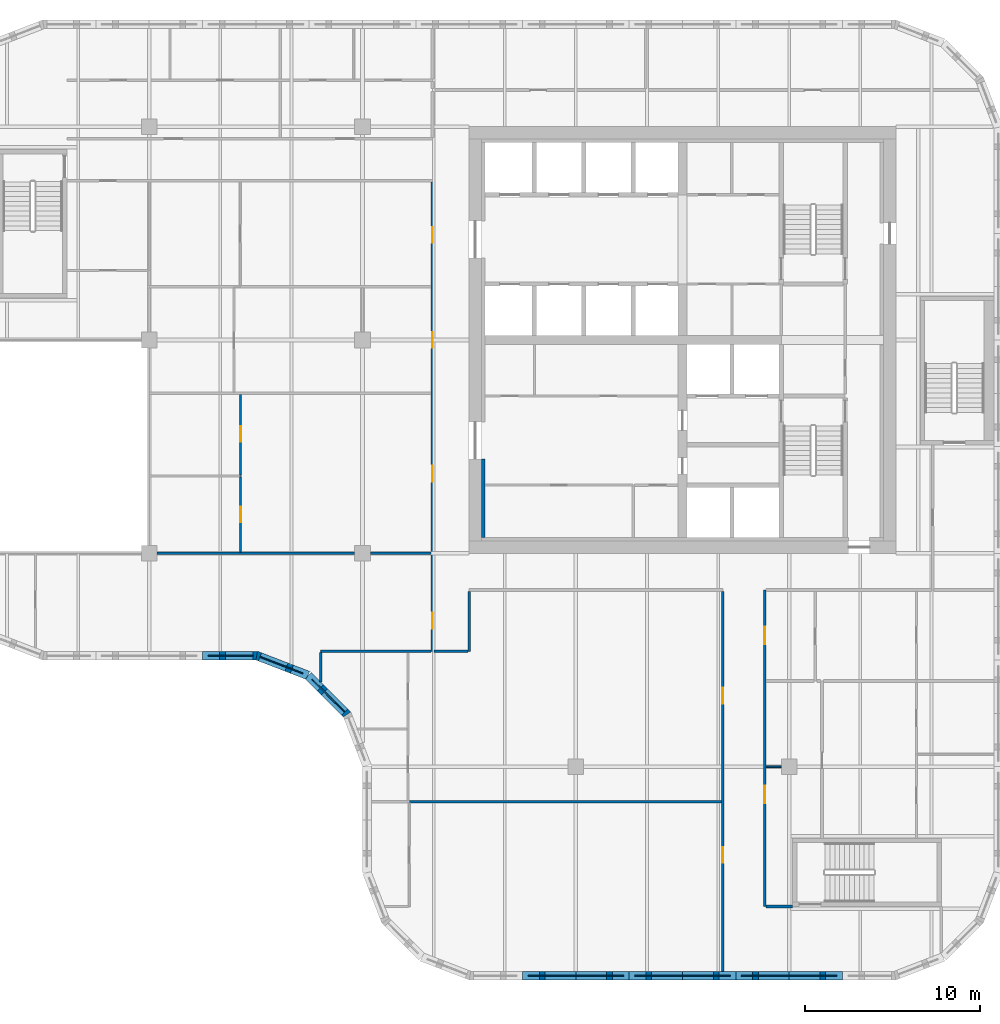
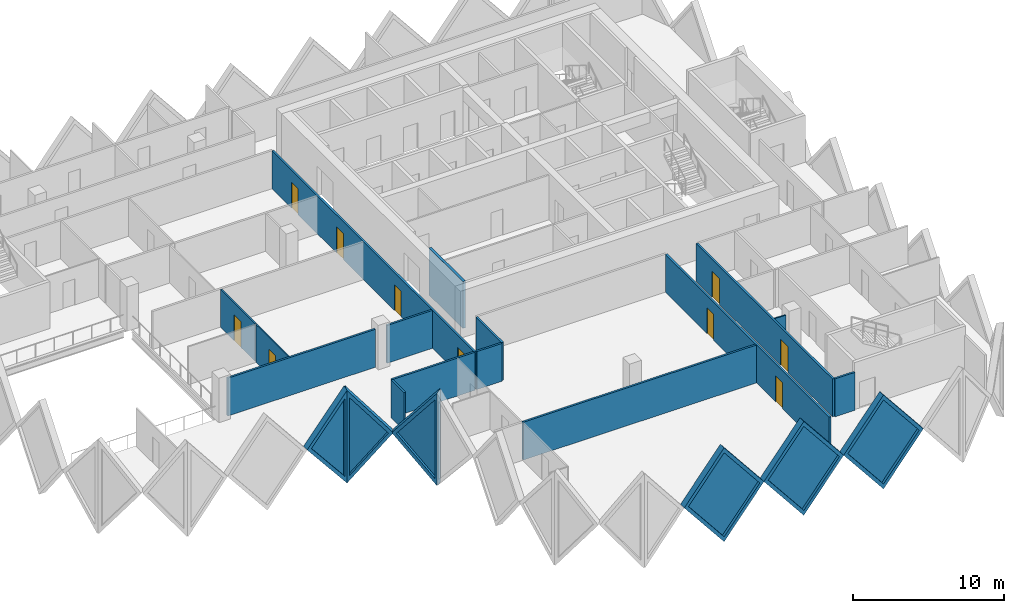
# One storey, part 4 of 12: 21 walls, 10 doors, 6 plates, 16 openings.
"""IFC4 building model written with IfcOpenShell, lengths in metres."""

from ifc_helpers import new_model, si_unit, direction, frame, frame_2d, origin, place, context, subcontext, project, spatial, polyline, rectangle, outline, extrude, faceted_brep, source, transform, mapped, material, layer, layer_set, type_object, element, fill, save


model = new_model("IFC4")

# Units and contexts
model_context = context("Model", 3, precision=1e-05, world=origin(), true_north=direction((0.0, 1.0)))
body_context = subcontext(model_context, "Body", "Model", "MODEL_VIEW")
ifc_project = project(units=[si_unit("LENGTHUNIT", "METRE"), si_unit("AREAUNIT", "SQUARE_METRE"), si_unit("VOLUMEUNIT", "CUBIC_METRE"), si_unit("PLANEANGLEUNIT", "RADIAN"), si_unit("MASSUNIT", "GRAM", prefix="KILO")], contexts=[model_context])

# Site, building, storey
site_placement = place(None, origin())
site = spatial("IfcSite", under=ifc_project, at=site_placement, CompositionType="ELEMENT")
building_placement = place(site_placement, origin())
building = spatial("IfcBuilding", under=site, at=building_placement, Name="Tessera Gate Towers", CompositionType="ELEMENT")
storey_placement = place(building_placement, frame((0.0, 0.0, 135.39990234375)))
storey = spatial("IfcBuildingStorey", under=building, at=storey_placement, Name="L33", CompositionType="ELEMENT", Elevation=135.39990234375)

# Wall
ifc_material_1 = material(Name="Concrete C60/75", Category="concrete")
ifc_layer_1 = layer(ifc_material_1, 0.199951171875)
ifc_layer_set_1 = layer_set([ifc_layer_1], Name="CORE WALL THICKENING 200")
wall_type_1 = type_object("IfcWallType", Name="CORE WALL THICKENING 200", PredefinedType="SOLIDWALL", material=ifc_layer_set_1)
wall_1_placement = place(storey_placement, frame((31.300048828125, 25.300048828125, 0.0), z_axis=(0.0, 0.0, 1.0), x_axis=(0.0, 1.0, 0.0)))
element("IfcWall", 1, at=wall_1_placement, inside=storey, type_object=wall_type_1, Name="Core wall thickening W L33", PredefinedType="SOLIDWALL", context=body_context, shape_type="SweptSolid", body=[
    extrude(rectangle(XDim=4.5, YDim=0.199951171875, at=frame_2d((2.25, 0.0))), origin(), (0.0, 0.0, 1.0), 3.800048828125),
])

# Wall, openings, doors
ifc_material_2 = material(Name="Gypsum board on steel studs, mineral wool", Category="steel")
ifc_layer_2 = layer(ifc_material_2, 0.14990234375)
ifc_layer_set_2 = layer_set([ifc_layer_2], Name="CORRIDOR WALL 150")
wall_type_2 = type_object("IfcWallType", Name="CORRIDOR WALL 150", PredefinedType="PARTITIONING", material=ifc_layer_set_2)
wall_2_placement = place(storey_placement, frame((45.0, 0.5, 0.0), z_axis=(0.0, 0.0, 1.0), x_axis=(0.0, 1.0, 0.0)))
wall_2 = element("IfcWall", 2, at=wall_2_placement, inside=storey, type_object=wall_type_2, Name="T1-L33-PW-001", PredefinedType="PARTITIONING", context=body_context, shape_type="SweptSolid", body=[
    extrude(rectangle(XDim=21.72412109375, YDim=0.14990234375, at=frame_2d((10.862060546875, 0.0))), origin(), (0.0, 0.0, 1.0), 3.067138671875),
])
shared_shape_1 = source(origin(), body_context, "Body", "SweptSolid", [
    extrude(rectangle(XDim=0.89990234375, YDim=2.10009765625, at=frame_2d((0.449951171875, 1.050048828125))), frame((0.0, 0.0849609375, 0.0), z_axis=(0.0, -1.0, 0.0), x_axis=(1.0, 0.0, 0.0)), (0.0, 0.0, 1.0), 0.169921875),
])
opening_1_placement = place(wall_2_placement, frame((6.199951171875, 0.0, 0.0)))
opening_1 = element("IfcOpeningElement", 3, at=opening_1_placement, cuts=wall_2, Name="Opening D890FD60-A12-04", PredefinedType="OPENING", context=body_context, shape_type="MappedRepresentation", body=[
    mapped(shared_shape_1, transform((0.0, 0.0, 0.0), scale=1.0)),
])
opening_2_placement = place(wall_2_placement, frame((15.300048828125, 0.0, 0.0)))
opening_2 = element("IfcOpeningElement", 4, at=opening_2_placement, cuts=wall_2, Name="Opening D890FD60-A12-08", PredefinedType="OPENING", context=body_context, shape_type="MappedRepresentation", body=[
    mapped(shared_shape_1, transform((0.0, 0.0, 0.0), scale=1.0)),
])
ifc_material_3 = material(Name="Timber door leaf in steel frame", Category="steel")
door_type_1 = type_object("IfcDoorType", Name="CORRIDOR DOOR 900 FD60", OperationType="NOTDEFINED", PredefinedType="DOOR", material=ifc_material_3)
shared_shape_2 = source(origin(), body_context, "Body", "SweptSolid", [
    extrude(rectangle(XDim=0.89990234375, YDim=2.10009765625, at=frame_2d((0.449951171875, 1.050048828125))), frame((0.0, 0.02490234375, 0.0), z_axis=(0.0, -1.0, 0.0), x_axis=(1.0, 0.0, 0.0)), (0.0, 0.0, 1.0), 0.050048828125),
])
door_1_placement = place(opening_1_placement, origin())
door_1 = element("IfcDoor", 5, at=door_1_placement, inside=storey, type_object=door_type_1, Name="T1-L33-PD-020", OperationType="SINGLE_SWING_LEFT", OverallHeight=2.10009765625, OverallWidth=0.89990234375, PredefinedType="DOOR", context=body_context, shape_type="MappedRepresentation", body=[
    mapped(shared_shape_2, transform((0.0, 0.0, 0.0), scale=1.0)),
])
fill(opening_1, door_1)
door_2_placement = place(opening_2_placement, origin())
door_2 = element("IfcDoor", 6, at=door_2_placement, inside=storey, type_object=door_type_1, Name="T1-L33-PD-028", OperationType="SINGLE_SWING_LEFT", OverallHeight=2.10009765625, OverallWidth=0.89990234375, PredefinedType="DOOR", context=body_context, shape_type="MappedRepresentation", body=[
    mapped(shared_shape_2, transform((0.0, 0.0, 0.0), scale=1.0)),
])
fill(opening_2, door_2)

wall_3_placement = place(storey_placement, frame((47.39990234375, 22.300048828125, 0.0), z_axis=(0.0, 0.0, 1.0), x_axis=(0.0, -1.0, 0.0)))
wall_3 = element("IfcWall", 7, at=wall_3_placement, inside=storey, type_object=wall_type_2, Name="T1-L33-PW-005", PredefinedType="PARTITIONING", context=body_context, shape_type="SweptSolid", body=[
    extrude(rectangle(XDim=18.10009765625, YDim=0.14990234375, at=frame_2d((9.050048828125, 0.0))), origin(), (0.0, 0.0, 1.0), 3.067138671875),
])
shared_shape_3 = source(origin(), body_context, "Body", "SweptSolid", [
    extrude(rectangle(XDim=1.0, YDim=2.10009765625, at=frame_2d((0.5, 1.050048828125))), frame((0.0, 0.0849609375, 0.0), z_axis=(0.0, -1.0, 0.0), x_axis=(1.0, 0.0, 0.0)), (0.0, 0.0, 1.0), 0.169921875),
])
opening_3_placement = place(wall_3_placement, frame((2.09912109375, 0.0, 0.0)))
opening_3 = element("IfcOpeningElement", 8, at=opening_3_placement, cuts=wall_3, Name="Opening D2100FD60-A12-01", PredefinedType="OPENING", context=body_context, shape_type="MappedRepresentation", body=[
    mapped(shared_shape_3, transform((0.0, 0.0, 0.0), scale=1.0)),
])
opening_4_placement = place(wall_3_placement, frame((11.199951171875, 0.0, 0.0)))
opening_4 = element("IfcOpeningElement", 9, at=opening_4_placement, cuts=wall_3, Name="Opening D2100FD60-A12-04", PredefinedType="OPENING", context=body_context, shape_type="MappedRepresentation", body=[
    mapped(shared_shape_3, transform((0.0, 0.0, 0.0), scale=1.0)),
])
ifc_material_4 = material(Name="Timber door leaf in steel frame", Category="steel")
door_type_2 = type_object("IfcDoorType", Name="TENANCY ENTRANCE DOOR 1000 FD60", OperationType="NOTDEFINED", PredefinedType="DOOR", material=ifc_material_4)
shared_shape_4 = source(origin(), body_context, "Body", "SweptSolid", [
    extrude(rectangle(XDim=1.0, YDim=2.10009765625, at=frame_2d((0.5, 1.050048828125))), frame((0.0, 0.02490234375, 0.0), z_axis=(0.0, -1.0, 0.0), x_axis=(1.0, 0.0, 0.0)), (0.0, 0.0, 1.0), 0.050048828125),
])
door_3_placement = place(opening_3_placement, origin())
door_3 = element("IfcDoor", 10, at=door_3_placement, inside=storey, type_object=door_type_2, Name="T1-L33-PD-014", OperationType="SINGLE_SWING_RIGHT", OverallHeight=2.10009765625, OverallWidth=1.0, PredefinedType="DOOR", context=body_context, shape_type="MappedRepresentation", body=[
    mapped(shared_shape_4, transform((0.0, 0.0, 0.0), scale=1.0)),
])
fill(opening_3, door_3)
door_4_placement = place(opening_4_placement, origin())
door_4 = element("IfcDoor", 11, at=door_4_placement, inside=storey, type_object=door_type_2, Name="T1-L33-PD-031", OperationType="SINGLE_SWING_RIGHT", OverallHeight=2.10009765625, OverallWidth=1.0, PredefinedType="DOOR", context=body_context, shape_type="MappedRepresentation", body=[
    mapped(shared_shape_4, transform((0.0, 0.0, 0.0), scale=1.0)),
])
fill(opening_4, door_4)

# Wall
wall_4_placement = place(storey_placement, frame((47.47607421875, 4.199951171875, 0.0), z_axis=(0.0, 0.0, 1.0), x_axis=(1.0, 0.0, 0.0)))
element("IfcWall", 12, at=wall_4_placement, inside=storey, type_object=wall_type_2, Name="T1-L33-PW-006", PredefinedType="PARTITIONING", context=body_context, shape_type="SweptSolid", body=[
    extrude(rectangle(XDim=1.52392578125, YDim=0.14990234375, at=frame_2d((0.761962890625, 0.0))), origin(), (0.0, 0.0, 1.0), 3.067138671875),
])

# Wall, openings, doors
wall_5_placement = place(storey_placement, frame((28.39990234375, 18.800048828125, 0.0), z_axis=(0.0, 0.0, 1.0), x_axis=(0.0, 1.0, 0.0)))
wall_5 = element("IfcWall", 13, at=wall_5_placement, inside=storey, type_object=wall_type_2, Name="T1-L33-PW-022", PredefinedType="PARTITIONING", context=body_context, shape_type="SweptSolid", body=[
    extrude(rectangle(XDim=26.823974609375, YDim=0.14990234375, at=frame_2d((13.412109375, 0.0))), origin(), (0.0, 0.0, 1.0), 3.067138671875),
])
opening_5_placement = place(wall_5_placement, frame((1.300048828125, 0.0, 0.0)))
opening_5 = element("IfcOpeningElement", 14, at=opening_5_placement, cuts=wall_5, Name="Opening D890FD60-A12-01", PredefinedType="OPENING", context=body_context, shape_type="MappedRepresentation", body=[
    mapped(shared_shape_1, transform((0.0, 0.0, 0.0), scale=1.0)),
])
opening_6_placement = place(wall_5_placement, frame((23.35107421875, 0.0, 0.0)))
opening_6 = element("IfcOpeningElement", 15, at=opening_6_placement, cuts=wall_5, Name="Opening D890FD60-A12-03", PredefinedType="OPENING", context=body_context, shape_type="MappedRepresentation", body=[
    mapped(shared_shape_1, transform((0.0, 0.0, 0.0), scale=1.0)),
])
opening_7_placement = place(wall_5_placement, frame((17.35107421875, 0.0, 0.0)))
opening_7 = element("IfcOpeningElement", 16, at=opening_7_placement, cuts=wall_5, Name="Opening D890FD60-A12-05", PredefinedType="OPENING", context=body_context, shape_type="MappedRepresentation", body=[
    mapped(shared_shape_1, transform((0.0, 0.0, 0.0), scale=1.0)),
])
opening_8_placement = place(wall_5_placement, frame((9.699951171875, 0.0, 0.0)))
opening_8 = element("IfcOpeningElement", 17, at=opening_8_placement, cuts=wall_5, Name="Opening D890FD60-A12-07", PredefinedType="OPENING", context=body_context, shape_type="MappedRepresentation", body=[
    mapped(shared_shape_1, transform((0.0, 0.0, 0.0), scale=1.0)),
])
door_5_placement = place(opening_5_placement, origin())
door_5 = element("IfcDoor", 18, at=door_5_placement, inside=storey, type_object=door_type_1, Name="T1-L33-PD-001", OperationType="SINGLE_SWING_LEFT", OverallHeight=2.10009765625, OverallWidth=0.89990234375, PredefinedType="DOOR", context=body_context, shape_type="MappedRepresentation", body=[
    mapped(shared_shape_2, transform((0.0, 0.0, 0.0), scale=1.0)),
])
fill(opening_5, door_5)
door_6_placement = place(opening_6_placement, origin())
door_6 = element("IfcDoor", 19, at=door_6_placement, inside=storey, type_object=door_type_1, Name="T1-L33-PD-019", OperationType="SINGLE_SWING_LEFT", OverallHeight=2.10009765625, OverallWidth=0.89990234375, PredefinedType="DOOR", context=body_context, shape_type="MappedRepresentation", body=[
    mapped(shared_shape_2, transform((0.0, 0.0, 0.0), scale=1.0)),
])
fill(opening_6, door_6)
door_7_placement = place(opening_7_placement, origin())
door_7 = element("IfcDoor", 20, at=door_7_placement, inside=storey, type_object=door_type_1, Name="T1-L33-PD-021", OperationType="SINGLE_SWING_LEFT", OverallHeight=2.10009765625, OverallWidth=0.89990234375, PredefinedType="DOOR", context=body_context, shape_type="MappedRepresentation", body=[
    mapped(shared_shape_2, transform((0.0, 0.0, 0.0), scale=1.0)),
])
fill(opening_7, door_7)
door_8_placement = place(opening_8_placement, origin())
door_8 = element("IfcDoor", 21, at=door_8_placement, inside=storey, type_object=door_type_1, Name="T1-L33-PD-027", OperationType="SINGLE_SWING_LEFT", OverallHeight=2.10009765625, OverallWidth=0.89990234375, PredefinedType="DOOR", context=body_context, shape_type="MappedRepresentation", body=[
    mapped(shared_shape_2, transform((0.0, 0.0, 0.0), scale=1.0)),
])
fill(opening_8, door_8)

# Walls
wall_6_placement = place(storey_placement, frame((28.47607421875, 18.800048828125, 0.0), z_axis=(0.0, 0.0, 1.0), x_axis=(1.0, 0.0, 0.0)))
element("IfcWall", 22, at=wall_6_placement, inside=storey, type_object=wall_type_2, Name="T1-L33-PW-023", PredefinedType="PARTITIONING", context=body_context, shape_type="SweptSolid", body=[
    extrude(rectangle(XDim=1.947998046875, YDim=0.14990234375, at=frame_2d((0.97412109375, 0.0))), origin(), (0.0, 0.0, 1.0), 3.067138671875),
])
wall_7_placement = place(storey_placement, frame((30.5, 18.800048828125, 0.0), z_axis=(0.0, 0.0, 1.0), x_axis=(0.0, 1.0, 0.0)))
element("IfcWall", 23, at=wall_7_placement, inside=storey, type_object=wall_type_2, Name="T1-L33-PW-024", PredefinedType="PARTITIONING", context=body_context, shape_type="SweptSolid", body=[
    extrude(rectangle(XDim=3.424072265625, YDim=0.14990234375, at=frame_2d((1.7119140625, 0.0))), origin(), (0.0, 0.0, 1.0), 3.067138671875),
])
ifc_material_5 = material(Name="Gypsum board on steel studs", Category="steel")
ifc_layer_3 = layer(ifc_material_5, 0.10009765625)
ifc_layer_set_3 = layer_set([ifc_layer_3], Name="PARTITION 100")
wall_type_3 = type_object("IfcWallType", Name="PARTITION 100", PredefinedType="PARTITIONING", material=ifc_layer_set_3)
wall_8_placement = place(storey_placement, frame((48.35009765625, 12.199951171875, 0.0), z_axis=(0.0, 0.0, 1.0), x_axis=(-1.0, 0.0, 0.0)))
element("IfcWall", 24, at=wall_8_placement, inside=storey, type_object=wall_type_3, Name="T1-L33-PW-012", PredefinedType="PARTITIONING", context=body_context, shape_type="SweptSolid", body=[
    extrude(rectangle(XDim=0.875, YDim=0.10009765625, at=frame_2d((0.4375, 0.0))), origin(), (0.0, 0.0, 1.0), 3.067138671875),
])

# Wall, opening, door
wall_9_placement = place(storey_placement, frame((17.425048828125, 24.47607421875, 0.0), z_axis=(0.0, 0.0, 1.0), x_axis=(0.0, 1.0, 0.0)))
wall_9 = element("IfcWall", 25, at=wall_9_placement, inside=storey, type_object=wall_type_3, Name="T1-L33-PW-032", PredefinedType="PARTITIONING", context=body_context, shape_type="SweptSolid", body=[
    extrude(rectangle(XDim=4.293212890625, YDim=0.10009765625, at=frame_2d((2.146484375, 0.0))), origin(), (0.0, 0.0, 1.0), 3.067138671875),
])
shared_shape_5 = source(origin(), body_context, "Body", "SweptSolid", [
    extrude(rectangle(XDim=0.89990234375, YDim=2.10009765625, at=frame_2d((0.449951171875, 1.050048828125))), frame((0.0, 0.06005859375, 0.0), z_axis=(0.0, -1.0, 0.0), x_axis=(1.0, 0.0, 0.0)), (0.0, 0.0, 1.0), 0.1201171875),
])
opening_9_placement = place(wall_9_placement, frame((1.699951171875, 0.0, 0.0)))
opening_9 = element("IfcOpeningElement", 26, at=opening_9_placement, cuts=wall_9, Name="Opening D190-A12-04", PredefinedType="OPENING", context=body_context, shape_type="MappedRepresentation", body=[
    mapped(shared_shape_5, transform((0.0, 0.0, 0.0), scale=1.0)),
])
ifc_material_6 = material(Name="Timber door leaf in steel frame", Category="steel")
door_type_3 = type_object("IfcDoorType", Name="INTERNAL DOOR 900 NOT RATED", OperationType="NOTDEFINED", PredefinedType="DOOR", material=ifc_material_6)
door_9_placement = place(opening_9_placement, origin())
door_9 = element("IfcDoor", 27, at=door_9_placement, inside=storey, type_object=door_type_3, Name="T1-L33-PD-005", OperationType="SINGLE_SWING_LEFT", OverallHeight=2.10009765625, OverallWidth=0.89990234375, PredefinedType="DOOR", context=body_context, shape_type="MappedRepresentation", body=[
    mapped(shared_shape_2, transform((0.0, 0.0, 0.0), scale=1.0)),
])
fill(opening_9, door_9)

wall_10_placement = place(storey_placement, frame((17.425048828125, 28.871337890625, 0.0), z_axis=(0.0, 0.0, 1.0), x_axis=(0.0, 1.0, 0.0)))
wall_10 = element("IfcWall", 28, at=wall_10_placement, inside=storey, type_object=wall_type_3, Name="T1-L33-PW-034", PredefinedType="PARTITIONING", context=body_context, shape_type="SweptSolid", body=[
    extrude(rectangle(XDim=4.602783203125, YDim=0.10009765625, at=frame_2d((2.30126953125, 0.0))), origin(), (0.0, 0.0, 1.0), 3.067138671875),
])
opening_10_placement = place(wall_10_placement, frame((1.89990234375, 0.0, 0.0)))
opening_10 = element("IfcOpeningElement", 29, at=opening_10_placement, cuts=wall_10, Name="Opening D190-A12-07", PredefinedType="OPENING", context=body_context, shape_type="MappedRepresentation", body=[
    mapped(shared_shape_5, transform((0.0, 0.0, 0.0), scale=1.0)),
])
door_10_placement = place(opening_10_placement, origin())
door_10 = element("IfcDoor", 30, at=door_10_placement, inside=storey, type_object=door_type_3, Name="T1-L33-PD-008", OperationType="SINGLE_SWING_LEFT", OverallHeight=2.10009765625, OverallWidth=0.89990234375, PredefinedType="DOOR", context=body_context, shape_type="MappedRepresentation", body=[
    mapped(shared_shape_2, transform((0.0, 0.0, 0.0), scale=1.0)),
])
fill(opening_10, door_10)

# Walls
ifc_material_7 = material(Name="Gypsum board on steel studs, mineral wool", Category="steel")
ifc_layer_4 = layer(ifc_material_7, 0.14990234375)
ifc_layer_set_4 = layer_set([ifc_layer_4], Name="TENANCY WALL 150")
wall_type_4 = type_object("IfcWallType", Name="TENANCY WALL 150", PredefinedType="PARTITIONING", material=ifc_layer_set_4)
wall_11_placement = place(storey_placement, frame((27.074951171875, 10.199951171875, 0.0), z_axis=(0.0, 0.0, 1.0), x_axis=(1.0, 0.0, 0.0)))
element("IfcWall", 31, at=wall_11_placement, inside=storey, type_object=wall_type_4, Name="T1-L33-PW-010", PredefinedType="PARTITIONING", context=body_context, shape_type="SweptSolid", body=[
    extrude(rectangle(XDim=17.84912109375, YDim=0.14990234375, at=frame_2d((8.924560546875, 0.0))), origin(), (0.0, 0.0, 1.0), 3.067138671875),
])
wall_12_placement = place(storey_placement, frame((22.0, 17.054931640625, 0.0), z_axis=(0.0, 0.0, 1.0), x_axis=(0.0, 1.0, 0.0)))
element("IfcWall", 32, at=wall_12_placement, inside=storey, type_object=wall_type_4, Name="T1-L33-PW-015", PredefinedType="PARTITIONING", context=body_context, shape_type="SweptSolid", body=[
    extrude(rectangle(XDim=1.669189453125, YDim=0.14990234375, at=frame_2d((0.83447265625, 0.0))), origin(), (0.0, 0.0, 1.0), 3.067138671875),
])
wall_13_placement = place(storey_placement, frame((22.0, 18.800048828125, 0.0), z_axis=(0.0, 0.0, 1.0), x_axis=(1.0, 0.0, 0.0)))
element("IfcWall", 33, at=wall_13_placement, inside=storey, type_object=wall_type_4, Name="T1-L33-PW-021", PredefinedType="PARTITIONING", context=body_context, shape_type="SweptSolid", body=[
    extrude(rectangle(XDim=6.323974609375, YDim=0.14990234375, at=frame_2d((3.162109375, 0.0))), origin(), (0.0, 0.0, 1.0), 3.067138671875),
])
wall_14_placement = place(storey_placement, frame((12.65087890625, 24.39990234375, 0.0), z_axis=(0.0, 0.0, 1.0), x_axis=(1.0, 0.0, 0.0)))
element("IfcWall", 34, at=wall_14_placement, inside=storey, type_object=wall_type_4, Name="T1-L33-PW-030", PredefinedType="PARTITIONING", context=body_context, shape_type="SweptSolid", body=[
    extrude(rectangle(XDim=11.298095703125, YDim=0.14990234375, at=frame_2d((5.64892578125, 0.0))), origin(), (0.0, 0.0, 1.0), 3.067138671875),
])
wall_15_placement = place(storey_placement, frame((24.85107421875, 24.39990234375, 0.0), z_axis=(0.0, 0.0, 1.0), x_axis=(1.0, 0.0, 0.0)))
element("IfcWall", 35, at=wall_15_placement, inside=storey, type_object=wall_type_4, Name="T1-L33-PW-031", PredefinedType="PARTITIONING", context=body_context, shape_type="SweptSolid", body=[
    extrude(rectangle(XDim=3.472900390625, YDim=0.14990234375, at=frame_2d((1.736328125, 0.0))), origin(), (0.0, 0.0, 1.0), 3.067138671875),
])

# Wall, opening, plate
ifc_material_8 = material(Name="Precast concrete C60/75 white", Category="concrete")
ifc_layer_5 = layer(ifc_material_8, 0.5)
ifc_layer_set_5 = layer_set([ifc_layer_5], Name="TS1 tessera")
wall_type_5 = type_object("IfcWallType", Name="TS1 tessera", PredefinedType="SOLIDWALL", material=ifc_layer_set_5)
shared_shape_6 = source(origin(), body_context, "Body", "Brep", [
    faceted_brep([(3.050048828125, -0.25, 0.0), (6.099853515625, -0.25, 3.799560546875), (6.099853515625, -0.25, 3.800048828125), (3.050048828125, -0.25, 7.599853515625), (0.0, -0.25, 3.7998046875), (0.0, 0.25, 3.7998046875), (3.050048828125, 0.25, 7.599853515625), (6.099853515625, 0.25, 3.800048828125), (6.099853515625, 0.25, 3.799560546875), (3.050048828125, 0.25, 0.0)], [[[0, 1, 2, 3, 4]], [[5, 6, 7, 8, 9]], [[9, 8, 1, 0]], [[7, 6, 3, 2]], [[6, 5, 4, 3]], [[5, 9, 0, 4]], [[1, 8, 7, 2]]]),
])
wall_16_placement = place(storey_placement, frame((33.550048828125, 0.25, -3.7998046875), z_axis=(0.0, 0.0, 1.0), x_axis=(1.0, 0.0, 0.0)))
wall_16 = element("IfcWall", 36, at=wall_16_placement, inside=storey, type_object=wall_type_5, Name="Precast tessera T1 TS1-0552", PredefinedType="SOLIDWALL", context=body_context, shape_type="MappedRepresentation", body=[
    mapped(shared_shape_6, transform((0.0, 0.0, 0.0), scale=1.0)),
])
shared_shape_7 = source(origin(), body_context, "Body", "SweptSolid", [
    extrude(outline(polyline([(3.050048828125, 0.3994140625), (5.779541015625, 3.7998046875), (3.050048828125, 7.200439453125), (0.320556640625, 3.7998046875), (3.050048828125, 0.3994140625)])), frame((0.0, 0.260009765625, 0.0), z_axis=(0.0, -1.0, 0.0), x_axis=(1.0, 0.0, 0.0)), (0.0, 0.0, 1.0), 0.52001953125),
])
opening_11_placement = place(wall_16_placement, origin())
opening_11 = element("IfcOpeningElement", 37, at=opening_11_placement, cuts=wall_16, Name="Opening T1-PL2-1130", PredefinedType="OPENING", context=body_context, shape_type="MappedRepresentation", body=[
    mapped(shared_shape_7, transform((0.0, 0.0, 0.0), scale=1.0)),
])
ifc_material_9 = material(Name="Low-e laminated glass", Category="glass")
ifc_layer_6 = layer(ifc_material_9, 0.06005859375)
ifc_layer_set_6 = layer_set([ifc_layer_6], Name="PL2 rhombic pane")
plate_type = type_object("IfcPlateType", Name="PL2 rhombic pane", PredefinedType="SHEET", material=ifc_layer_set_6)
shared_shape_8 = source(origin(), body_context, "Body", "SweptSolid", [
    extrude(outline(polyline([(3.050048828125, 0.3994140625), (5.779541015625, 3.7998046875), (3.050048828125, 7.200439453125), (0.320556640625, 3.7998046875), (3.050048828125, 0.3994140625)])), frame((0.0, 0.030029296875, 0.0), z_axis=(0.0, -1.0, 0.0), x_axis=(1.0, 0.0, 0.0)), (0.0, 0.0, 1.0), 0.06005859375),
])
plate_1_placement = place(opening_11_placement, origin())
plate_1 = element("IfcPlate", 38, at=plate_1_placement, inside=storey, type_object=plate_type, Name="Glass pane T1 PL2-1130", PredefinedType="SHEET", context=body_context, shape_type="MappedRepresentation", body=[
    mapped(shared_shape_8, transform((0.0, 0.0, 0.0), scale=1.0)),
])
fill(opening_11, plate_1)

shared_shape_9 = source(origin(), body_context, "Body", "SweptSolid", [
    extrude(outline(polyline([(3.050048828125, 0.0), (6.10009765625, 3.7998046875), (3.050048828125, 7.599853515625), (0.0, 3.7998046875), (3.050048828125, 0.0)])), frame((0.0, 0.25, 0.0), z_axis=(0.0, -1.0, 0.0), x_axis=(1.0, 0.0, 0.0)), (0.0, 0.0, 1.0), 0.5),
])
wall_17_placement = place(storey_placement, frame((39.64990234375, 0.25, -3.7998046875), z_axis=(0.0, 0.0, 1.0), x_axis=(1.0, 0.0, 0.0)))
wall_17 = element("IfcWall", 39, at=wall_17_placement, inside=storey, type_object=wall_type_5, Name="Precast tessera T1 TS1-0553", PredefinedType="SOLIDWALL", context=body_context, shape_type="MappedRepresentation", body=[
    mapped(shared_shape_9, transform((0.0, 0.0, 0.0), scale=1.0)),
])
opening_12_placement = place(wall_17_placement, origin())
opening_12 = element("IfcOpeningElement", 40, at=opening_12_placement, cuts=wall_17, Name="Opening T1-PL2-1131", PredefinedType="OPENING", context=body_context, shape_type="MappedRepresentation", body=[
    mapped(shared_shape_7, transform((0.0, 0.0, 0.0), scale=1.0)),
])
plate_2_placement = place(opening_12_placement, origin())
plate_2 = element("IfcPlate", 41, at=plate_2_placement, inside=storey, type_object=plate_type, Name="Glass pane T1 PL2-1131", PredefinedType="SHEET", context=body_context, shape_type="MappedRepresentation", body=[
    mapped(shared_shape_8, transform((0.0, 0.0, 0.0), scale=1.0)),
])
fill(opening_12, plate_2)

wall_18_placement = place(storey_placement, frame((45.75, 0.25, -3.7998046875), z_axis=(0.0, 0.0, 1.0), x_axis=(1.0, 0.0, 0.0)))
wall_18 = element("IfcWall", 42, at=wall_18_placement, inside=storey, type_object=wall_type_5, Name="Precast tessera T1 TS1-0554", PredefinedType="SOLIDWALL", context=body_context, shape_type="MappedRepresentation", body=[
    mapped(shared_shape_9, transform((0.0, 0.0, 0.0), scale=1.0)),
])
opening_13_placement = place(wall_18_placement, origin())
opening_13 = element("IfcOpeningElement", 43, at=opening_13_placement, cuts=wall_18, Name="Opening T1-PL2-1132", PredefinedType="OPENING", context=body_context, shape_type="MappedRepresentation", body=[
    mapped(shared_shape_7, transform((0.0, 0.0, 0.0), scale=1.0)),
])
plate_3_placement = place(opening_13_placement, origin())
plate_3 = element("IfcPlate", 44, at=plate_3_placement, inside=storey, type_object=plate_type, Name="Glass pane T1 PL2-1132", PredefinedType="SHEET", context=body_context, shape_type="MappedRepresentation", body=[
    mapped(shared_shape_8, transform((0.0, 0.0, 0.0), scale=1.0)),
])
fill(opening_13, plate_3)

ifc_material_10 = material(Name="Precast concrete C60/75 white", Category="concrete")
ifc_layer_7 = layer(ifc_material_10, 0.5)
ifc_layer_set_7 = layer_set([ifc_layer_7], Name="TS3 corner tessera")
wall_type_6 = type_object("IfcWallType", Name="TS3 corner tessera", PredefinedType="SOLIDWALL", material=ifc_layer_set_7)
shared_shape_10 = source(origin(), body_context, "Body", "Brep", [
    faceted_brep([(3.050048828125, -0.25, 7.54296875), (0.0, -0.25, 3.7998046875), (3.050048828125, -0.25, 0.056884765625), (0.0, 0.25, 3.7998046875), (3.096435546875, 0.25, 7.599853515625), (3.14306640625, 0.25, 7.54345703125), (3.14306640625, 0.25, 0.056396484375), (3.096435546875, 0.25, 0.0), (3.096435546875, -0.00048828125, 0.0), (3.096435546875, -0.00048828125, 7.599853515625)], [[[0, 1, 2]], [[3, 4, 5, 6, 7]], [[7, 6, 8]], [[5, 4, 9]], [[4, 3, 1, 0, 9]], [[3, 7, 8, 2, 1]], [[2, 8, 6, 5, 9, 0]]]),
])
wall_19_placement = place(storey_placement, frame((15.25, 18.550048828125, -3.7998046875), z_axis=(0.0, 0.0, 1.0), x_axis=(1.0, 0.0, 0.0)))
wall_19 = element("IfcWall", 45, at=wall_19_placement, inside=storey, type_object=wall_type_6, Name="Precast corner tessera T1 TS3-0763", PredefinedType="SOLIDWALL", context=body_context, shape_type="MappedRepresentation", body=[
    mapped(shared_shape_10, transform((0.0, 0.0, 0.0), scale=1.0)),
])
shared_shape_11 = source(origin(), body_context, "Body", "SweptSolid", [
    extrude(outline(polyline([(2.896484375, 6.958740234375), (0.322509765625, 3.7998046875), (2.896484375, 0.64111328125), (2.896484375, 6.958740234375)])), frame((0.0, 0.260009765625, 0.0), z_axis=(0.0, -1.0, 0.0), x_axis=(1.0, 0.0, 0.0)), (0.0, 0.0, 1.0), 0.52001953125),
])
opening_14_placement = place(wall_19_placement, origin())
opening_14 = element("IfcOpeningElement", 46, at=opening_14_placement, cuts=wall_19, Name="Opening T1-PL2-1168", PredefinedType="OPENING", context=body_context, shape_type="MappedRepresentation", body=[
    mapped(shared_shape_11, transform((0.0, 0.0, 0.0), scale=1.0)),
])
shared_shape_12 = source(origin(), body_context, "Body", "SweptSolid", [
    extrude(outline(polyline([(2.896484375, 6.958740234375), (0.322509765625, 3.7998046875), (2.896484375, 0.64111328125), (2.896484375, 6.958740234375)])), frame((0.0, 0.030029296875, 0.0), z_axis=(0.0, -1.0, 0.0), x_axis=(1.0, 0.0, 0.0)), (0.0, 0.0, 1.0), 0.06005859375),
])
plate_4_placement = place(opening_14_placement, origin())
plate_4 = element("IfcPlate", 47, at=plate_4_placement, inside=storey, type_object=plate_type, Name="Glass pane T1 PL2-1168", PredefinedType="SHEET", context=body_context, shape_type="MappedRepresentation", body=[
    mapped(shared_shape_12, transform((0.0, 0.0, 0.0), scale=1.0)),
])
fill(opening_14, plate_4)

shared_shape_13 = source(origin(), body_context, "Body", "Brep", [
    faceted_brep([(0.09326171875, -0.25, 0.05615234375), (3.14306640625, -0.25, 3.736083984375), (3.14306640625, -0.25, 3.863525390625), (0.09326171875, -0.25, 7.543701171875), (0.0, 0.25, 7.542724609375), (0.046630859375, 0.25, 7.599853515625), (3.196044921875, 0.25, 3.7998046875), (0.046630859375, 0.25, 0.0), (0.0, 0.25, 0.05712890625), (3.196044921875, -0.000244140625, 3.7998046875), (0.046630859375, 0.0, 0.0), (0.046630859375, 0.0, 7.599853515625)], [[[0, 1, 2, 3]], [[4, 5, 6, 7, 8]], [[7, 6, 9, 1, 0, 10]], [[6, 5, 11, 3, 2, 9]], [[5, 4, 11]], [[8, 7, 10]], [[8, 10, 0, 3, 11, 4]], [[1, 9, 2]]]),
])
wall_20_placement = place(storey_placement, frame((18.302978515625, 18.56689453125, -3.7998046875), z_axis=(0.0, 0.0, 1.0), x_axis=(0.932978940178, -0.359930961693, 0.0)))
wall_20 = element("IfcWall", 48, at=wall_20_placement, inside=storey, type_object=wall_type_6, Name="Precast corner tessera T1 TS3-0764", PredefinedType="SOLIDWALL", context=body_context, shape_type="MappedRepresentation", body=[
    mapped(shared_shape_13, transform((0.0, 0.0, 0.0), scale=1.0)),
])
shared_shape_14 = source(origin(), body_context, "Body", "SweptSolid", [
    extrude(outline(polyline([(0.24658203125, 0.633056640625), (2.871337890625, 3.7998046875), (0.24658203125, 6.966796875), (0.24658203125, 0.633056640625)])), frame((0.0, 0.260009765625, 0.0), z_axis=(0.0, -1.0, 0.0), x_axis=(1.0, 0.0, 0.0)), (0.0, 0.0, 1.0), 0.52001953125),
])
opening_15_placement = place(wall_20_placement, origin())
opening_15 = element("IfcOpeningElement", 49, at=opening_15_placement, cuts=wall_20, Name="Opening T1-PL2-1169", PredefinedType="OPENING", context=body_context, shape_type="MappedRepresentation", body=[
    mapped(shared_shape_14, transform((0.0, 0.0, 0.0), scale=1.0)),
])
shared_shape_15 = source(origin(), body_context, "Body", "SweptSolid", [
    extrude(outline(polyline([(0.24658203125, 0.633056640625), (2.871337890625, 3.7998046875), (0.24658203125, 6.966796875), (0.24658203125, 0.633056640625)])), frame((0.0, 0.030029296875, 0.0), z_axis=(0.0, -1.0, 0.0), x_axis=(1.0, 0.0, 0.0)), (0.0, 0.0, 1.0), 0.06005859375),
])
plate_5_placement = place(opening_15_placement, origin())
plate_5 = element("IfcPlate", 50, at=plate_5_placement, inside=storey, type_object=plate_type, Name="Glass pane T1 PL2-1169", PredefinedType="SHEET", context=body_context, shape_type="MappedRepresentation", body=[
    mapped(shared_shape_15, transform((0.0, 0.0, 0.0), scale=1.0)),
])
fill(opening_15, plate_5)

shared_shape_16 = source(origin(), body_context, "Body", "Brep", [
    faceted_brep([(3.10302734375, -0.25, 7.5361328125), (0.052978515625, -0.25, 3.863525390625), (0.052978515625, -0.25, 3.736083984375), (3.10302734375, -0.25, 0.063720703125), (0.0, 0.25, 3.7998046875), (3.15576171875, 0.25, 7.599853515625), (3.208740234375, 0.25, 7.535888671875), (3.208740234375, 0.25, 0.06396484375), (3.15576171875, 0.25, 0.0), (3.15576171875, -0.00048828125, 0.0), (3.15576171875, -0.00048828125, 7.599853515625), (0.0, 0.0, 3.7998046875)], [[[0, 1, 2, 3]], [[4, 5, 6, 7, 8]], [[8, 7, 9]], [[6, 5, 10]], [[5, 4, 11, 1, 0, 10]], [[4, 8, 9, 3, 2, 11]], [[11, 2, 1]], [[3, 9, 7, 6, 10, 0]]]),
])
wall_21_placement = place(storey_placement, frame((21.284912109375, 17.41650390625, -3.7998046875), z_axis=(0.0, 0.0, 1.0), x_axis=(0.707106781187, -0.707106781187, 0.0)))
wall_21 = element("IfcWall", 51, at=wall_21_placement, inside=storey, type_object=wall_type_6, Name="Precast corner tessera T1 TS3-0765", PredefinedType="SOLIDWALL", context=body_context, shape_type="MappedRepresentation", body=[
    mapped(shared_shape_16, transform((0.0, 0.0, 0.0), scale=1.0)),
])
shared_shape_17 = source(origin(), body_context, "Body", "SweptSolid", [
    extrude(outline(polyline([(2.955810546875, 6.9677734375), (0.324951171875, 3.7998046875), (2.955810546875, 0.632080078125), (2.955810546875, 6.9677734375)])), frame((0.0, 0.260009765625, 0.0), z_axis=(0.0, -1.0, 0.0), x_axis=(1.0, 0.0, 0.0)), (0.0, 0.0, 1.0), 0.52001953125),
])
opening_16_placement = place(wall_21_placement, origin())
opening_16 = element("IfcOpeningElement", 52, at=opening_16_placement, cuts=wall_21, Name="Opening T1-PL2-1170", PredefinedType="OPENING", context=body_context, shape_type="MappedRepresentation", body=[
    mapped(shared_shape_17, transform((0.0, 0.0, 0.0), scale=1.0)),
])
shared_shape_18 = source(origin(), body_context, "Body", "SweptSolid", [
    extrude(outline(polyline([(2.955810546875, 6.9677734375), (0.324951171875, 3.7998046875), (2.955810546875, 0.632080078125), (2.955810546875, 6.9677734375)])), frame((0.0, 0.030029296875, 0.0), z_axis=(0.0, -1.0, 0.0), x_axis=(1.0, 0.0, 0.0)), (0.0, 0.0, 1.0), 0.06005859375),
])
plate_6_placement = place(opening_16_placement, origin())
plate_6 = element("IfcPlate", 53, at=plate_6_placement, inside=storey, type_object=plate_type, Name="Glass pane T1 PL2-1170", PredefinedType="SHEET", context=body_context, shape_type="MappedRepresentation", body=[
    mapped(shared_shape_18, transform((0.0, 0.0, 0.0), scale=1.0)),
])
fill(opening_16, plate_6)

save(model, "model.ifc")
